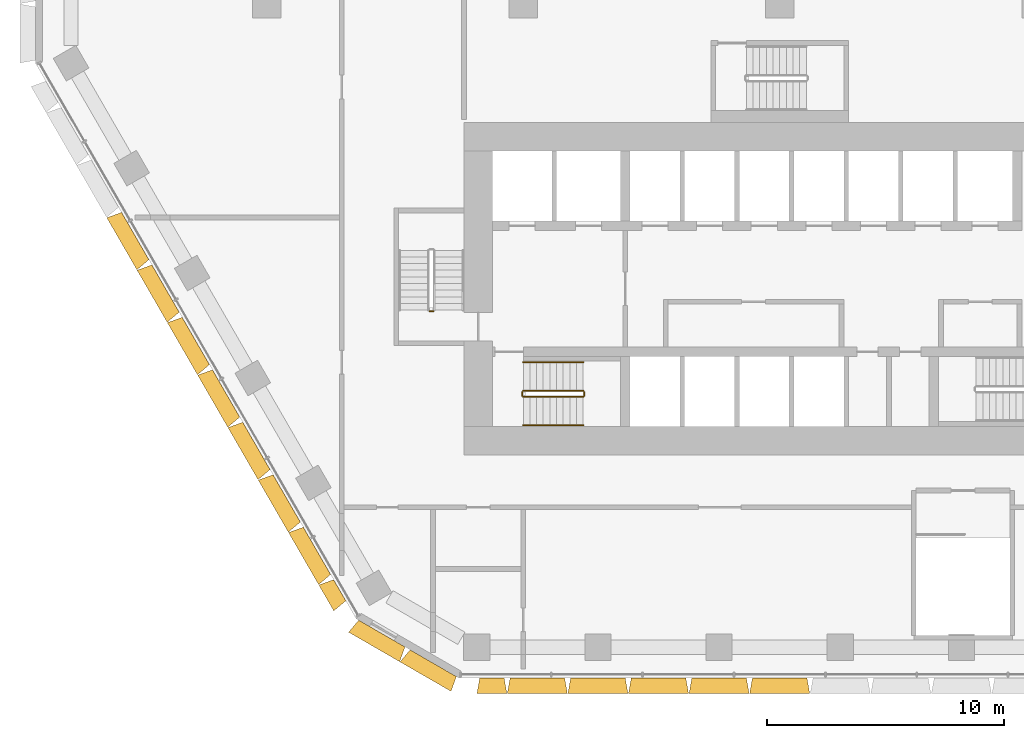
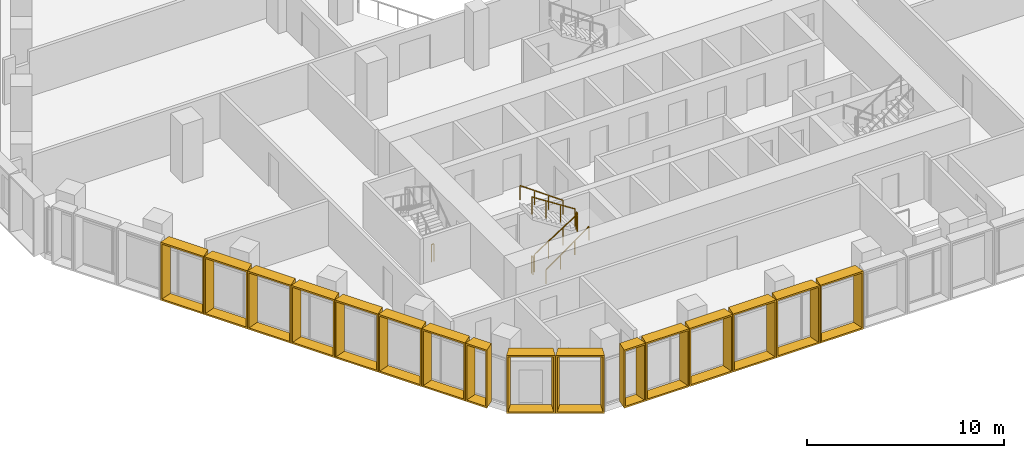
# One storey, part 18 of 21: 16 shading devices, 7 railings.
"""IFC4 building model written with IfcOpenShell, lengths in metres."""

import ifcopenshell
import ifcopenshell.guid

model = None  # the IFC model being written
_history = None  # IfcOwnerHistory: only IFC2X3 demands one
_inside = {}  # id of a spatial element -> (the spatial element, [elements in it])
_under = {}  # id of a project, library or spatial element -> (it, [spatial elements below it])
_declared = {}  # id of a project -> (the project, [libraries it declares])
_typed = {}  # id of a type object -> (the type object, [elements of that type])
_made_of = {}  # id of a material, layer set ... -> (it, [elements and type objects made of it])


def new_model(schema):
    """Start an empty IFC model of exactly this schema.

    Asked for "IFC4X3", IfcOpenShell would pick the latest addendum, in which some entities
    have other attributes; the version numbers below select the first issue.
    IFC2X3 requires an IfcOwnerHistory on every rooted entity: one is made here for all.
    """
    global model, _history
    if schema == "IFC4X3":
        model = ifcopenshell.file(schema_version=(4, 3, 0, 0))
    else:
        model = ifcopenshell.file(schema=schema)
    _inside.clear()
    _under.clear()
    _declared.clear()
    _typed.clear()
    _made_of.clear()
    _history = None
    if model.schema == "IFC2X3":
        org = make("IfcOrganization", Name="unknown")
        user = make(
            "IfcPersonAndOrganization",
            ThePerson=make("IfcPerson", FamilyName="unknown"),
            TheOrganization=org,
        )
        app = make(
            "IfcApplication",
            ApplicationDeveloper=org,
            Version="unknown",
            ApplicationFullName="unknown",
            ApplicationIdentifier="unknown",
        )
        _history = make(
            "IfcOwnerHistory",
            OwningUser=user,
            OwningApplication=app,
            ChangeAction="ADDED",
            CreationDate=0,
        )
    return model


def make(cls, **values):
    """One entity of the class cls with the attributes given. An attribute that is None is left unset."""
    return model.create_entity(
        cls, **{name: value for name, value in values.items() if value is not None}
    )


def entity(cls, *values):
    """Any entity or typed value of the class cls, its attributes in the order of the schema. None: left unset."""
    e = model.create_entity(cls)
    for i, value in enumerate(values):
        if value is not None:
            e[i] = value
    return e


def rooted(cls, **values):
    """An entity with a GlobalId (a new one), such as an element, a storey or a relation."""
    return make(cls, GlobalId=ifcopenshell.guid.new(), OwnerHistory=_history, **values)


def si_unit(unit_type, name, prefix=None):
    """IfcSIUnit, for example si_unit("LENGTHUNIT", "METRE", prefix="MILLI")."""
    return make("IfcSIUnit", UnitType=unit_type, Prefix=prefix, Name=name)


def assignment(units):
    """IfcUnitAssignment: the units of a project."""
    return None if units is None else make("IfcUnitAssignment", Units=units)


def point(xyz):
    """IfcCartesianPoint."""
    return None if xyz is None else make("IfcCartesianPoint", Coordinates=xyz)


def direction(xyz):
    """IfcDirection."""
    return None if xyz is None else make("IfcDirection", DirectionRatios=xyz)


def frame(location, z_axis=None, x_axis=None):
    """IfcAxis2Placement3D, a coordinate frame: its origin and axes. An axis left out is left unset."""
    return make(
        "IfcAxis2Placement3D",
        Location=point(location),
        Axis=direction(z_axis),
        RefDirection=direction(x_axis),
    )


def frame_2d(location, x_axis=None):
    """IfcAxis2Placement2D, a coordinate frame in the plane: its origin and x axis."""
    return make(
        "IfcAxis2Placement2D", Location=point(location), RefDirection=direction(x_axis)
    )


def origin():
    """The frame at (0, 0, 0) with its axes left unset."""
    return frame((0.0, 0.0, 0.0))


def origin_2d():
    """The frame at (0, 0) in the plane with its x axis left unset."""
    return frame_2d((0.0, 0.0))


def place(relative_to, where):
    """IfcLocalPlacement: puts the frame where relative to a parent placement (None: the world)."""
    return make(
        "IfcLocalPlacement", PlacementRelTo=relative_to, RelativePlacement=where
    )


def context(
    kind, dimensions, precision=None, world=None, true_north=None, identifier=None
):
    """IfcGeometricRepresentationContext, for example the 3D "Model" context."""
    return make(
        "IfcGeometricRepresentationContext",
        ContextIdentifier=identifier,
        ContextType=kind,
        CoordinateSpaceDimension=dimensions,
        Precision=precision,
        WorldCoordinateSystem=world,
        TrueNorth=true_north,
    )


def subcontext(parent, identifier, kind, view, scale=None):
    """IfcGeometricRepresentationSubContext, for example "Body" below "Model"."""
    return make(
        "IfcGeometricRepresentationSubContext",
        ContextIdentifier=identifier,
        ContextType=kind,
        ParentContext=parent,
        TargetScale=scale,
        TargetView=view,
    )


def project(units=None, contexts=None):
    """IfcProject with its units and contexts."""
    return rooted(
        "IfcProject",
        Name="project",
        RepresentationContexts=contexts,
        UnitsInContext=assignment(units),
    )


def spatial(cls, under=None, at=None, **own):
    """A site, building, storey or space (cls), placed at a placement, below another one or the project."""
    s = rooted(cls, ObjectPlacement=at, **own)
    if under is not None:
        _under.setdefault(under.id(), (under, []))[1].append(s)
    return s


def profile(cls, at=None, kind="AREA", **sizes):
    """A parametric profile (cls). Its sizes go by their IFC names, for example OverallWidth=200.0."""
    return make(cls, ProfileType=kind, Position=at, **sizes)


def rectangle(**sizes):
    """IfcRectangleProfileDef."""
    return profile("IfcRectangleProfileDef", **sizes)


def extrude(swept, where, along, depth):
    """IfcExtrudedAreaSolid: the profile swept, set in the frame where, extruded along a direction by depth."""
    return make(
        "IfcExtrudedAreaSolid",
        SweptArea=swept,
        Position=where,
        ExtrudedDirection=direction(along),
        Depth=depth,
    )


def shape(context_of_items, identifier, shape_type, items):
    """IfcShapeRepresentation: the items that make up one representation, for example the "Body"."""
    return make(
        "IfcShapeRepresentation",
        ContextOfItems=context_of_items,
        RepresentationIdentifier=identifier,
        RepresentationType=shape_type,
        Items=items,
    )


def source(mapping_origin, context_of_items, identifier, shape_type, items):
    """IfcRepresentationMap: a shape defined once, which mapped items show again and again."""
    return make(
        "IfcRepresentationMap",
        MappingOrigin=mapping_origin,
        MappedRepresentation=shape(context_of_items, identifier, shape_type, items),
    )


def transform(
    local_origin,
    x_axis=None,
    y_axis=None,
    z_axis=None,
    scale=None,
    scale2=None,
    scale3=None,
    uniform=True,
):
    """IfcCartesianTransformationOperator3D, or its non-uniform kind. x_axis, y_axis, z_axis: its Axis1, 2, 3."""
    if uniform:
        return make(
            "IfcCartesianTransformationOperator3D",
            Axis1=direction(x_axis),
            Axis2=direction(y_axis),
            LocalOrigin=point(local_origin),
            Scale=scale,
            Axis3=direction(z_axis),
        )
    return make(
        "IfcCartesianTransformationOperator3DnonUniform",
        Axis1=direction(x_axis),
        Axis2=direction(y_axis),
        LocalOrigin=point(local_origin),
        Scale=scale,
        Axis3=direction(z_axis),
        Scale2=scale2,
        Scale3=scale3,
    )


def mapped(mapping_source, mapping_target):
    """IfcMappedItem: shows the shape of a source again, moved by a transform."""
    return make(
        "IfcMappedItem", MappingSource=mapping_source, MappingTarget=mapping_target
    )


def material(Name=None, Category=None):
    """IfcMaterial."""
    return make("IfcMaterial", Name=Name, Category=Category)


def made_of(thing, what):
    """Note that an element or type object is made of a material, layer set ...; save() writes the relation."""
    if what is not None:
        _made_of.setdefault(what.id(), (what, []))[1].append(thing)
    return thing


def type_object(cls, material=None, **own):
    """A type object (cls), such as IfcWallType, which elements share."""
    return made_of(rooted(cls, **own), material)


def type_shapes(of_type, sources):
    """Give a type object the sources (RepresentationMaps) that its elements show as mapped items."""
    of_type.RepresentationMaps = sources


def element(
    cls,
    number,
    at=None,
    inside=None,
    cuts=None,
    type_object=None,
    material=None,
    context=None,
    identifier="Body",
    shape_type=None,
    held_by="IfcProductDefinitionShape",
    body=None,
    shapes=None,
    **own,
):
    """One element of the class cls, such as IfcWall. Its Tag is "e" and its number.

    at: its placement. inside: the storey or other place that contains it. cuts: it is an
    opening in that element (IfcRelVoidsElement). A single representation is given by context,
    identifier, shape_type and body (its items); several are given by shapes. held_by: the class
    of the entity that holds the representations. save() writes the other relations.
    """
    e = rooted(cls, Tag="e%d" % number, ObjectPlacement=at, **own)
    if body is not None:
        shapes = [shape(context, identifier, shape_type, body)]
    if shapes is not None:
        e.Representation = make(held_by, Representations=shapes)
    if inside is not None:
        _inside.setdefault(inside.id(), (inside, []))[1].append(e)
    if cuts is not None:
        rooted(
            "IfcRelVoidsElement", RelatingBuildingElement=cuts, RelatedOpeningElement=e
        )
    if type_object is not None:
        _typed.setdefault(type_object.id(), (type_object, []))[1].append(e)
    return made_of(e, material)


def aggregate(whole, parts):
    """IfcRelAggregates: a whole, such as a stair, and the parts it consists of."""
    return rooted("IfcRelAggregates", RelatingObject=whole, RelatedObjects=parts)


def save(model, path):
    """Write the relations noted so far, then the file.

    IfcRelAggregates (storeys below a building ...), IfcRelContainedInSpatialStructure (elements
    in a storey), IfcRelDefinesByType, IfcRelAssociatesMaterial and IfcRelDeclares: one each for
    every whole, place, type object, material and project.
    """
    for whole, parts in _under.values():
        aggregate(whole, parts)
    for where, things in _inside.values():
        rooted(
            "IfcRelContainedInSpatialStructure",
            RelatedElements=things,
            RelatingStructure=where,
        )
    for kind, things in _typed.values():
        rooted("IfcRelDefinesByType", RelatedObjects=things, RelatingType=kind)
    for what, things in _made_of.values():
        rooted("IfcRelAssociatesMaterial", RelatedObjects=things, RelatingMaterial=what)
    for by, libraries in _declared.values():
        rooted("IfcRelDeclares", RelatingContext=by, RelatedDefinitions=libraries)
    model.write(path)


model = new_model("IFC4")

# Units and contexts
model_context = context("Model", 3, precision=1e-05, world=origin(), true_north=direction((0.0, 1.0)))
body_context = subcontext(model_context, "Body", "Model", "MODEL_VIEW")
ifc_project = project(units=[si_unit("LENGTHUNIT", "METRE"), si_unit("AREAUNIT", "SQUARE_METRE"), si_unit("VOLUMEUNIT", "CUBIC_METRE"), si_unit("PLANEANGLEUNIT", "RADIAN"), si_unit("MASSUNIT", "GRAM", prefix="KILO")], contexts=[model_context])

# Site, building, storey
site_placement = place(None, origin())
site = spatial("IfcSite", under=ifc_project, at=site_placement, CompositionType="ELEMENT")
building_placement = place(site_placement, origin())
building = spatial("IfcBuilding", under=site, at=building_placement, Name="Beryl Residences", CompositionType="ELEMENT")
storey_placement = place(building_placement, frame((0.0, 0.0, 19.800048828125)))
storey = spatial("IfcBuildingStorey", under=building, at=storey_placement, Name="L05", CompositionType="ELEMENT", Elevation=19.800048828125)

# Shading devices
ifc_material_1 = material(Name="Aluminium pale anodised", Category="aluminium")
shading_device_type_1 = type_object("IfcShadingDeviceType", Name="FR128-65A-H36 OUTER SKIN frame 650 mm deep, splay 10/10 deg, 1280 x 3600 mm cell", PredefinedType="USERDEFINED", material=ifc_material_1)
cartesian_point_1 = entity("IfcCartesianPoint", [-0.514892578125, 0.0])
cartesian_point_2 = entity("IfcCartesianPoint", [-0.433837890625, 0.10009765625])
cartesian_point_3 = entity("IfcCartesianPoint", [-0.629638671875, 0.0])
cartesian_point_4 = entity("IfcCartesianPoint", [-0.54833984375, 0.10009765625])
shared_shape_1 = source(origin(), body_context, "Body", "SweptSolid", [
    entity("IfcExtrudedAreaSolidTapered", entity("IfcArbitraryProfileDefWithVoids", "AREA", None, entity("IfcPolyline", [cartesian_point_1, entity("IfcCartesianPoint", [0.514892578125, 0.0]), entity("IfcCartesianPoint", [0.514892578125, 3.60009765625]), entity("IfcCartesianPoint", [-0.514892578125, 3.60009765625]), cartesian_point_1]), [entity("IfcPolyline", [cartesian_point_2, entity("IfcCartesianPoint", [0.433837890625, 0.10009765625]), entity("IfcCartesianPoint", [0.433837890625, 3.5]), entity("IfcCartesianPoint", [-0.433837890625, 3.5]), cartesian_point_2])]), entity("IfcAxis2Placement3D", entity("IfcCartesianPoint", [0.0, 0.0, 0.0]), entity("IfcDirection", [0.0, 1.0, 0.0]), entity("IfcDirection", [-1.0, 0.0, 0.0])), entity("IfcDirection", [0.0, 0.0, 1.0]), 0.64990234375, entity("IfcArbitraryProfileDefWithVoids", "AREA", None, entity("IfcPolyline", [cartesian_point_3, entity("IfcCartesianPoint", [0.629638671875, 0.0]), entity("IfcCartesianPoint", [0.629638671875, 3.60009765625]), entity("IfcCartesianPoint", [-0.629638671875, 3.60009765625]), cartesian_point_3]), [entity("IfcPolyline", [cartesian_point_4, entity("IfcCartesianPoint", [0.54833984375, 0.10009765625]), entity("IfcCartesianPoint", [0.54833984375, 3.5]), entity("IfcCartesianPoint", [-0.54833984375, 3.5]), cartesian_point_4])])),
])
type_shapes(shading_device_type_1, [shared_shape_1])
for number, where, z_axis, x_axis, name in (
    (1, (-18.533935546875, -24.698974609375, 0.0), (0.0, 0.0, 1.0), (-0.5, 0.866025403784, 0.0), "FR128-65A-H36 frame L05 SW 11"),
    (2, (-12.12109375, -28.39990234375, 0.0), (0.0, 0.0, 1.0), (-1.0, 0.0, 0.0), "FR128-65A-H36 frame L05 S 1"),
):
    element("IfcShadingDevice", number, at=place(storey_placement, frame(where, z_axis=z_axis, x_axis=x_axis)), inside=storey, type_object=shading_device_type_1, Name=name, ObjectType="OUTER SKIN", PredefinedType="USERDEFINED", context=body_context, shape_type="MappedRepresentation", body=[
        mapped(shared_shape_1, transform((0.0, 0.0, 0.0))),
    ])
ifc_material_2 = material(Name="Aluminium pale anodised", Category="aluminium")
shading_device_type_2 = type_object("IfcShadingDeviceType", Name="FR250-65A-H36 OUTER SKIN frame 650 mm deep, splay 10/10 deg, 2500 x 3600 mm cell", PredefinedType="USERDEFINED", material=ifc_material_2)
cartesian_point_5 = entity("IfcCartesianPoint", [-1.125, 0.0])
cartesian_point_6 = entity("IfcCartesianPoint", [-1.043701171875, 0.10009765625])
cartesian_point_7 = entity("IfcCartesianPoint", [-1.239501953125, 0.0])
cartesian_point_8 = entity("IfcCartesianPoint", [-1.158447265625, 0.10009765625])
shared_shape_2 = source(origin(), body_context, "Body", "SweptSolid", [
    entity("IfcExtrudedAreaSolidTapered", entity("IfcArbitraryProfileDefWithVoids", "AREA", None, entity("IfcPolyline", [cartesian_point_5, entity("IfcCartesianPoint", [1.125, 0.0]), entity("IfcCartesianPoint", [1.125, 3.60009765625]), entity("IfcCartesianPoint", [-1.125, 3.60009765625]), cartesian_point_5]), [entity("IfcPolyline", [cartesian_point_6, entity("IfcCartesianPoint", [1.043701171875, 0.10009765625]), entity("IfcCartesianPoint", [1.043701171875, 3.5]), entity("IfcCartesianPoint", [-1.043701171875, 3.5]), cartesian_point_6])]), entity("IfcAxis2Placement3D", entity("IfcCartesianPoint", [0.0, 0.0, 0.0]), entity("IfcDirection", [0.0, 1.0, 0.0]), entity("IfcDirection", [-1.0, 0.0, 0.0])), entity("IfcDirection", [0.0, 0.0, 1.0]), 0.64990234375, entity("IfcArbitraryProfileDefWithVoids", "AREA", None, entity("IfcPolyline", [cartesian_point_7, entity("IfcCartesianPoint", [1.239501953125, 0.0]), entity("IfcCartesianPoint", [1.239501953125, 3.60009765625]), entity("IfcCartesianPoint", [-1.239501953125, 3.60009765625]), cartesian_point_7]), [entity("IfcPolyline", [cartesian_point_8, entity("IfcCartesianPoint", [1.158447265625, 0.10009765625]), entity("IfcCartesianPoint", [1.158447265625, 3.5]), entity("IfcCartesianPoint", [-1.158447265625, 3.5]), cartesian_point_8])])),
])
type_shapes(shading_device_type_2, [shared_shape_2])
for number, where, z_axis, x_axis, name in (
    (3, (-16.758056640625, -26.52490234375, 0.0), (0.0, 0.0, 1.0), (-0.866025403784, 0.5, 0.0), "FR250-65A-H36 frame L05 SW-S 1"),
    (4, (-14.593017578125, -27.77490234375, 0.0), (0.0, 0.0, 1.0), (-0.866025403784, 0.5, 0.0), "FR250-65A-H36 frame L05 SW-S 2"),
):
    element("IfcShadingDevice", number, at=place(storey_placement, frame(where, z_axis=z_axis, x_axis=x_axis)), inside=storey, type_object=shading_device_type_2, Name=name, ObjectType="OUTER SKIN", PredefinedType="USERDEFINED", context=body_context, shape_type="MappedRepresentation", body=[
        mapped(shared_shape_2, transform((0.0, 0.0, 0.0))),
    ])
ifc_material_3 = material(Name="Aluminium pale anodised", Category="aluminium")
shading_device_type_3 = type_object("IfcShadingDeviceType", Name="FR255-65A-H36 OUTER SKIN frame 650 mm deep, splay 10/10 deg, 2550 x 3600 mm cell", PredefinedType="USERDEFINED", material=ifc_material_3)
cartesian_point_9 = entity("IfcCartesianPoint", [-1.14990234375, 0.0])
cartesian_point_10 = entity("IfcCartesianPoint", [-1.06884765625, 0.10009765625])
cartesian_point_11 = entity("IfcCartesianPoint", [-1.2646484375, 0.0])
cartesian_point_12 = entity("IfcCartesianPoint", [-1.183349609375, 0.10009765625])
shared_shape_3 = source(origin(), body_context, "Body", "SweptSolid", [
    entity("IfcExtrudedAreaSolidTapered", entity("IfcArbitraryProfileDefWithVoids", "AREA", None, entity("IfcPolyline", [cartesian_point_9, entity("IfcCartesianPoint", [1.14990234375, 0.0]), entity("IfcCartesianPoint", [1.14990234375, 3.60009765625]), entity("IfcCartesianPoint", [-1.14990234375, 3.60009765625]), cartesian_point_9]), [entity("IfcPolyline", [cartesian_point_10, entity("IfcCartesianPoint", [1.06884765625, 0.10009765625]), entity("IfcCartesianPoint", [1.06884765625, 3.5]), entity("IfcCartesianPoint", [-1.06884765625, 3.5]), cartesian_point_10])]), entity("IfcAxis2Placement3D", entity("IfcCartesianPoint", [0.0, 0.0, 0.0]), entity("IfcDirection", [0.0, 1.0, 0.0]), entity("IfcDirection", [-1.0, 0.0, 0.0])), entity("IfcDirection", [0.0, 0.0, 1.0]), 0.64990234375, entity("IfcArbitraryProfileDefWithVoids", "AREA", None, entity("IfcPolyline", [cartesian_point_11, entity("IfcCartesianPoint", [1.2646484375, 0.0]), entity("IfcCartesianPoint", [1.2646484375, 3.60009765625]), entity("IfcCartesianPoint", [-1.2646484375, 3.60009765625]), cartesian_point_11]), [entity("IfcPolyline", [cartesian_point_12, entity("IfcCartesianPoint", [1.183349609375, 0.10009765625]), entity("IfcCartesianPoint", [1.183349609375, 3.5]), entity("IfcCartesianPoint", [-1.183349609375, 3.5]), cartesian_point_12])])),
])
type_shapes(shading_device_type_3, [shared_shape_3])
for number, where, z_axis, x_axis, name in (
    (5, (-27.14599609375, -9.781005859375, 0.0), (0.0, 0.0, 1.0), (-0.5, 0.866025403784, 0.0), "FR255-65A-H36 frame L05 SW 4"),
    (6, (-25.8701171875, -11.990966796875, 0.0), (0.0, 0.0, 1.0), (-0.5, 0.866025403784, 0.0), "FR255-65A-H36 frame L05 SW 5"),
    (7, (-24.594970703125, -14.200927734375, 0.0), (0.0, 0.0, 1.0), (-0.5, 0.866025403784, 0.0), "FR255-65A-H36 frame L05 SW 6"),
    (8, (-23.319091796875, -16.410888671875, 0.0), (0.0, 0.0, 1.0), (-0.5, 0.866025403784, 0.0), "FR255-65A-H36 frame L05 SW 7"),
    (9, (-22.04296875, -18.62109375, 0.0), (0.0, 0.0, 1.0), (-0.5, 0.866025403784, 0.0), "FR255-65A-H36 frame L05 SW 8"),
    (10, (-20.76708984375, -20.8310546875, 0.0), (0.0, 0.0, 1.0), (-0.5, 0.866025403784, 0.0), "FR255-65A-H36 frame L05 SW 9"),
    (11, (-19.490966796875, -23.041015625, 0.0), (0.0, 0.0, 1.0), (-0.5, 0.866025403784, 0.0), "FR255-65A-H36 frame L05 SW 10"),
    (12, (-10.20703125, -28.39990234375, 0.0), (0.0, 0.0, 1.0), (-1.0, 0.0, 0.0), "FR255-65A-H36 frame L05 S 2"),
    (13, (-7.655029296875, -28.39990234375, 0.0), (0.0, 0.0, 1.0), (-1.0, 0.0, 0.0), "FR255-65A-H36 frame L05 S 3"),
    (14, (-5.10302734375, -28.39990234375, 0.0), (0.0, 0.0, 1.0), (-1.0, 0.0, 0.0), "FR255-65A-H36 frame L05 S 4"),
    (15, (-2.551025390625, -28.39990234375, 0.0), (0.0, 0.0, 1.0), (-1.0, 0.0, 0.0), "FR255-65A-H36 frame L05 S 5"),
    (16, (0.0009765625, -28.39990234375, 0.0), (0.0, 0.0, 1.0), (-1.0, 0.0, 0.0), "FR255-65A-H36 frame L05 S 6"),
):
    element("IfcShadingDevice", number, at=place(storey_placement, frame(where, z_axis=z_axis, x_axis=x_axis)), inside=storey, type_object=shading_device_type_3, Name=name, ObjectType="OUTER SKIN", PredefinedType="USERDEFINED", context=body_context, shape_type="MappedRepresentation", body=[
        mapped(shared_shape_3, transform((0.0, 0.0, 0.0))),
    ])

# Railings
ifc_material_4 = material(Name="Stainless steel balustrade with glass infill", Category="steel")
railing_type_1 = type_object("IfcRailingType", Name="SG1 stair guard 1100 mm", PredefinedType="GUARDRAIL", material=ifc_material_4)
railing_1_placement = place(storey_placement, frame((-10.800048828125, -16.550048828125, 0.179931640625)))
element("IfcRailing", 17, at=railing_1_placement, inside=storey, type_object=railing_type_1, Name="L05 ST-1 stair guard 1", PredefinedType="GUARDRAIL", context=body_context, shape_type="SweptSolid", body=[
    extrude(rectangle(XDim=0.048095703125, YDim=0.048095703125, at=origin_2d()), frame((0.0, 0.0, 1.076171875), z_axis=(0.841162588446, 0.0, 0.540782303519), x_axis=(0.0, 1.0, 0.0)), (0.0, 0.0, 1.0), 2.995849609375),
    extrude(rectangle(XDim=0.0419921875, YDim=0.0419921875, at=origin_2d()), origin(), (0.0, 0.0, 1.0), 1.052001953125),
    extrude(rectangle(XDim=0.0419921875, YDim=0.0419921875, at=origin_2d()), frame((0.840087890625, 0.0, 0.5400390625)), (0.0, 0.0, 1.0), 1.052001953125),
    extrude(rectangle(XDim=0.0419921875, YDim=0.0419921875, at=origin_2d()), frame((1.679931640625, 0.0, 1.080078125)), (0.0, 0.0, 1.0), 1.052001953125),
    extrude(rectangle(XDim=0.0419921875, YDim=0.0419921875, at=origin_2d()), frame((2.52001953125, 0.0, 1.6201171875)), (0.0, 0.0, 1.0), 1.052001953125),
])
railing_2_placement = place(storey_placement, frame((-8.22998046875, -16.5, 1.800048828125)))
element("IfcRailing", 18, at=railing_2_placement, inside=storey, type_object=railing_type_1, Name="L05 ST-1 stair guard 2", PredefinedType="GUARDRAIL", context=body_context, shape_type="SweptSolid", body=[
    extrude(rectangle(XDim=0.048095703125, YDim=0.048095703125, at=origin_2d()), frame((0.0, 0.0, 1.076171875), z_axis=(0.0, 1.0, 0.0), x_axis=(-1.0, 0.0, 0.0)), (0.0, 0.0, 1.0), 0.14990234375),
    extrude(rectangle(XDim=0.0419921875, YDim=0.0419921875, at=origin_2d()), origin(), (0.0, 0.0, 1.0), 1.052001953125),
    extrude(rectangle(XDim=0.0419921875, YDim=0.0419921875, at=origin_2d()), frame((0.0, 0.14990234375, 0.0)), (0.0, 0.0, 1.0), 1.052001953125),
])
railing_3_placement = place(storey_placement, frame((-8.280029296875, -16.300048828125, 1.97998046875)))
element("IfcRailing", 19, at=railing_3_placement, inside=storey, type_object=railing_type_1, Name="L05 ST-1 stair guard 3", PredefinedType="GUARDRAIL", context=body_context, shape_type="SweptSolid", body=[
    extrude(rectangle(XDim=0.048095703125, YDim=0.048095703125, at=origin_2d()), frame((0.0, 0.0, 1.076171875), z_axis=(-0.841199657755, 0.0, 0.540724639528), x_axis=(0.0, -1.0, 0.0)), (0.0, 0.0, 1.0), 2.995849609375),
    extrude(rectangle(XDim=0.0419921875, YDim=0.0419921875, at=origin_2d()), origin(), (0.0, 0.0, 1.0), 1.052001953125),
    extrude(rectangle(XDim=0.0419921875, YDim=0.0419921875, at=origin_2d()), frame((-0.840087890625, 0.0, 0.5400390625)), (0.0, 0.0, 1.0), 1.052001953125),
    extrude(rectangle(XDim=0.0419921875, YDim=0.0419921875, at=origin_2d()), frame((-1.679931640625, 0.0, 1.079833984375)), (0.0, 0.0, 1.0), 1.052001953125),
    extrude(rectangle(XDim=0.0419921875, YDim=0.0419921875, at=origin_2d()), frame((-2.52001953125, 0.0, 1.619873046875)), (0.0, 0.0, 1.0), 1.052001953125),
])
railing_4_placement = place(storey_placement, frame((-10.85009765625, -16.5, 0.0)))
element("IfcRailing", 20, at=railing_4_placement, inside=storey, type_object=railing_type_1, Name="L05 ST-1 stair guard 4", PredefinedType="GUARDRAIL", context=body_context, shape_type="SweptSolid", body=[
    extrude(rectangle(XDim=0.048095703125, YDim=0.048095703125, at=origin_2d()), frame((0.0, 0.0, 1.076171875), z_axis=(0.0, 1.0, 0.0), x_axis=(-1.0, 0.0, 0.0)), (0.0, 0.0, 1.0), 0.14990234375),
    extrude(rectangle(XDim=0.0419921875, YDim=0.0419921875, at=origin_2d()), origin(), (0.0, 0.0, 1.0), 1.052001953125),
    extrude(rectangle(XDim=0.0419921875, YDim=0.0419921875, at=origin_2d()), frame((0.0, 0.14990234375, 0.0)), (0.0, 0.0, 1.0), 1.052001953125),
])
railing_5_placement = place(storey_placement, frame((-14.60009765625, -12.949951171875, 0.0)))
element("IfcRailing", 21, at=railing_5_placement, inside=storey, type_object=railing_type_1, Name="L05 ST-2 stair guard 4", PredefinedType="GUARDRAIL", context=body_context, shape_type="SweptSolid", body=[
    extrude(rectangle(XDim=0.048095703125, YDim=0.048095703125, at=origin_2d()), frame((0.0, 0.0, 1.076171875), z_axis=(-1.0, 0.0, 0.0), x_axis=(0.0, -1.0, 0.0)), (0.0, 0.0, 1.0), 0.14990234375),
    extrude(rectangle(XDim=0.0419921875, YDim=0.0419921875, at=origin_2d()), origin(), (0.0, 0.0, 1.0), 1.052001953125),
    extrude(rectangle(XDim=0.0419921875, YDim=0.0419921875, at=origin_2d()), frame((-0.14990234375, 0.0, 0.0)), (0.0, 0.0, 1.0), 1.052001953125),
])
ifc_material_5 = material(Name="Stainless steel handrail", Category="steel")
railing_type_2 = type_object("IfcRailingType", Name="SRL1 stair handrail 900 mm", PredefinedType="HANDRAIL", material=ifc_material_5)
railing_6_placement = place(storey_placement, frame((-10.800048828125, -17.75, 0.179931640625)))
element("IfcRailing", 22, at=railing_6_placement, inside=storey, type_object=railing_type_2, Name="L05 ST-1 stair handrail 1", PredefinedType="HANDRAIL", context=body_context, shape_type="SweptSolid", body=[
    extrude(rectangle(XDim=0.048095703125, YDim=0.048095703125, at=origin_2d()), frame((0.0, 0.0, 0.8759765625), z_axis=(0.813728144527, 0.0, 0.581245650998), x_axis=(0.0, 1.0, 0.0)), (0.0, 0.0, 1.0), 3.096923828125),
    extrude(rectangle(XDim=0.0419921875, YDim=0.0419921875, at=origin_2d()), origin(), (0.0, 0.0, 1.0), 0.851806640625),
    extrude(rectangle(XDim=0.0419921875, YDim=0.0419921875, at=origin_2d()), frame((0.840087890625, 0.0, 0.60009765625)), (0.0, 0.0, 1.0), 0.851806640625),
    extrude(rectangle(XDim=0.0419921875, YDim=0.0419921875, at=origin_2d()), frame((1.679931640625, 0.0, 1.199951171875)), (0.0, 0.0, 1.0), 0.851806640625),
    extrude(rectangle(XDim=0.0419921875, YDim=0.0419921875, at=origin_2d()), frame((2.52001953125, 0.0, 1.800048828125)), (0.0, 0.0, 1.0), 0.851806640625),
])
railing_7_placement = place(storey_placement, frame((-8.280029296875, -15.10009765625, 1.97998046875)))
element("IfcRailing", 23, at=railing_7_placement, inside=storey, type_object=railing_type_2, Name="L05 ST-1 stair handrail 2", PredefinedType="HANDRAIL", context=body_context, shape_type="SweptSolid", body=[
    extrude(rectangle(XDim=0.048095703125, YDim=0.048095703125, at=origin_2d()), frame((0.0, 0.0, 0.8759765625), z_axis=(-0.813728144527, 0.0, 0.581245650998), x_axis=(0.0, -1.0, 0.0)), (0.0, 0.0, 1.0), 3.096923828125),
    extrude(rectangle(XDim=0.0419921875, YDim=0.0419921875, at=origin_2d()), origin(), (0.0, 0.0, 1.0), 0.851806640625),
    extrude(rectangle(XDim=0.0419921875, YDim=0.0419921875, at=origin_2d()), frame((-0.840087890625, 0.0, 0.60009765625)), (0.0, 0.0, 1.0), 0.851806640625),
    extrude(rectangle(XDim=0.0419921875, YDim=0.0419921875, at=origin_2d()), frame((-1.679931640625, 0.0, 1.199951171875)), (0.0, 0.0, 1.0), 0.851806640625),
    extrude(rectangle(XDim=0.0419921875, YDim=0.0419921875, at=origin_2d()), frame((-2.52001953125, 0.0, 1.800048828125)), (0.0, 0.0, 1.0), 0.851806640625),
])

save(model, "model.ifc")
